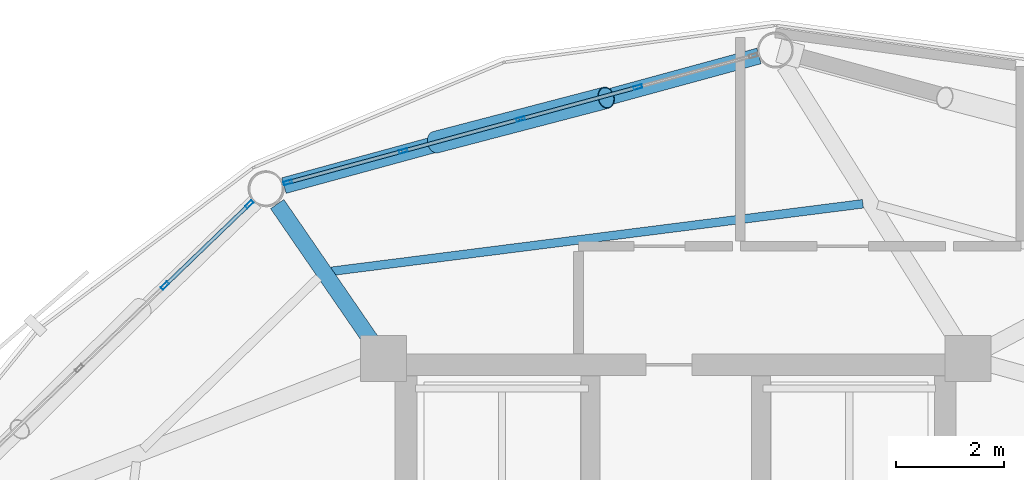
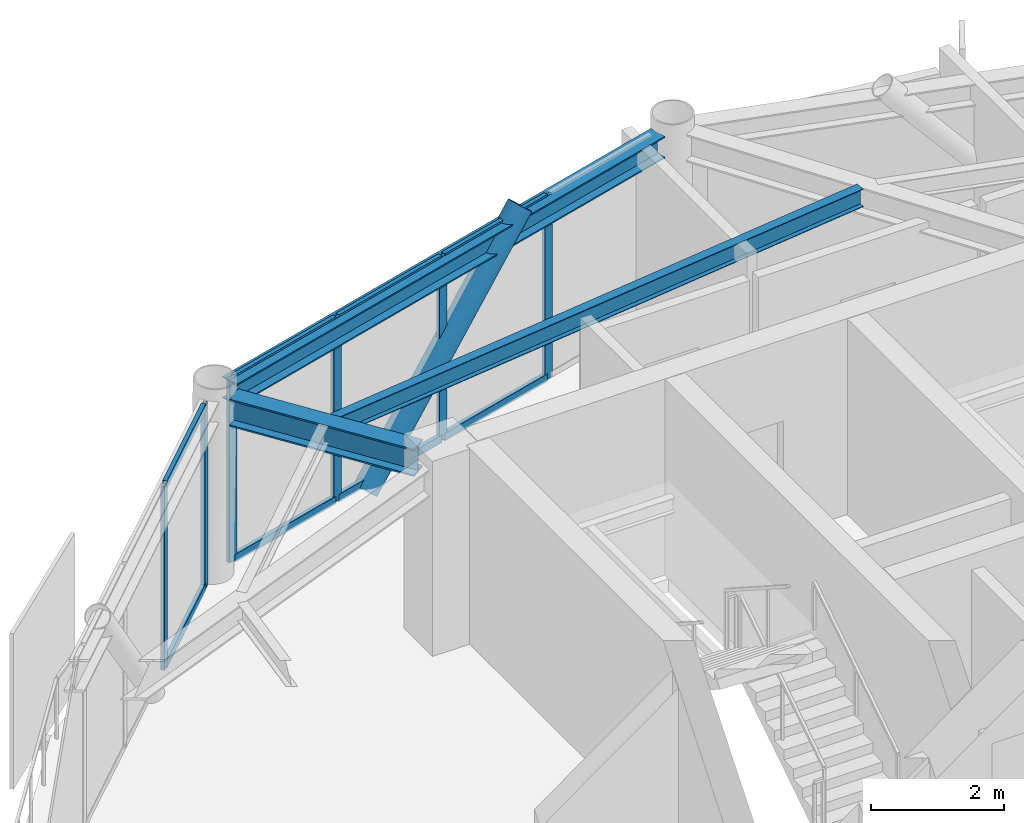
# One storey, part 17 of 26: 15 members, 3 beams, 2 elements without a shape of their own.
"""IFC4 building model written with IfcOpenShell, lengths in metres."""

from ifc_helpers import new_model, si_unit, direction, frame, origin, origin_2d, place, context, subcontext, project, spatial, hollow_rectangle, hollow_circle, i_section, extrude, material, layer, layer_set, material_profile, profile_set, type_object, element, aggregate, save


model = new_model("IFC4")

# Units and contexts
model_context = context("Model", 3, precision=1e-05, world=origin(), true_north=direction((0.0, 1.0)))
body_context = subcontext(model_context, "Body", "Model", "MODEL_VIEW")
ifc_project = project(units=[si_unit("LENGTHUNIT", "METRE"), si_unit("AREAUNIT", "SQUARE_METRE"), si_unit("VOLUMEUNIT", "CUBIC_METRE"), si_unit("PLANEANGLEUNIT", "RADIAN"), si_unit("MASSUNIT", "GRAM", prefix="KILO")], contexts=[model_context])

# Site, building, storey
site_placement = place(None, origin())
site = spatial("IfcSite", under=ifc_project, at=site_placement, CompositionType="ELEMENT")
building_placement = place(site_placement, origin())
building = spatial("IfcBuilding", under=site, at=building_placement, Name="Varnakorn Sky Granary", CompositionType="ELEMENT")
storey_placement = place(building_placement, frame((0.0, 0.0, 218.39990234375)))
storey = spatial("IfcBuildingStorey", under=building, at=storey_placement, Name="L55", CompositionType="ELEMENT", Elevation=218.39990234375)

# Beams
ifc_material_1 = material(Name="Steel S355JR", Category="steel")
ifc_material_profile_1 = material_profile(ifc_material_1, i_section(OverallWidth=0.300048828125, OverallDepth=0.5, WebThickness=0.014404296875, FlangeThickness=0.028076171875, at=origin_2d()), Name="HE 500 B")
ifc_profile_set_1 = profile_set([ifc_material_profile_1], Name="Steel S355JR")
beam_type_1 = type_object("IfcBeamType", Name="BM-RAD-Z4", PredefinedType="BEAM", material=ifc_profile_set_1)
beam_1_placement = place(storey_placement, frame((-2.649658203125, 12.95361328125, 3.110107421875), z_axis=(-0.566873331778, 0.823804968253, 0.0), x_axis=(-0.823804968253, -0.566873331778, 0.0)))
element("IfcBeam", 1, at=beam_1_placement, inside=storey, type_object=beam_type_1, Name="Radial Floor Girder RG05 L55", PredefinedType="BEAM", context=body_context, shape_type="SweptSolid", body=[
    extrude(i_section(OverallWidth=0.300048828125, OverallDepth=0.5, WebThickness=0.014404296875, FlangeThickness=0.028076171875, at=origin_2d()), origin(), (0.0, 0.0, 1.0), 3.0673828125),
])
ifc_material_profile_2 = material_profile(ifc_material_1, i_section(OverallWidth=0.159912109375, OverallDepth=0.330078125, WebThickness=0.007568359375, FlangeThickness=0.011474609375, at=origin_2d()), Name="IPE 330")
ifc_profile_set_2 = profile_set([ifc_material_profile_2], Name="Steel S355JR")
beam_type_2 = type_object("IfcBeamType", Name="BM-SEC-Z4", PredefinedType="BEAM", material=ifc_profile_set_2)
beam_2_placement = place(storey_placement, frame((6.47216796875, 15.485595703125, 3.195068359375), z_axis=(-0.992035094529, -0.125961784769, 0.0), x_axis=(0.125961784769, -0.992035094529, 0.0)))
element("IfcBeam", 2, at=beam_2_placement, inside=storey, type_object=beam_type_2, Name="Secondary Floor Chord Beam MSB04 L55", PredefinedType="BEAM", context=body_context, shape_type="SweptSolid", body=[
    extrude(i_section(OverallWidth=0.159912109375, OverallDepth=0.330078125, WebThickness=0.007568359375, FlangeThickness=0.011474609375, at=origin_2d()), origin(), (0.0, 0.0, 1.0), 9.931396484375),
])
ifc_material_profile_3 = material_profile(ifc_material_1, i_section(OverallWidth=0.300048828125, OverallDepth=0.39990234375, WebThickness=0.013427734375, FlangeThickness=0.02392578125, at=origin_2d()), Name="HE 400 B")
ifc_profile_set_3 = profile_set([ifc_material_profile_3], Name="Steel S355JR")
beam_type_3 = type_object("IfcBeamType", Name="BM-SPD-Z4", PredefinedType="SPANDREL", material=ifc_profile_set_3)
beam_3_placement = place(storey_placement, frame((4.546142578125, 18.22705078125, 3.16015625), z_axis=(-0.964721853725, -0.263271238357, 0.0), x_axis=(0.263271238357, -0.964721853725, 0.0)))
element("IfcBeam", 3, at=beam_3_placement, inside=storey, type_object=beam_type_3, Name="Perimeter Spandrel Ring Beam RB04 L55", PredefinedType="SPANDREL", context=body_context, shape_type="SweptSolid", body=[
    extrude(i_section(OverallWidth=0.300048828125, OverallDepth=0.39990234375, WebThickness=0.013427734375, FlangeThickness=0.02392578125, at=origin_2d()), origin(), (0.0, 0.0, 1.0), 9.13134765625),
])

# Curtain wall, members
ifc_material_2 = material(Name="Anodised Bronze Aluminium Alloy 6063-T6", Category="aluminium")
ifc_layer = layer(ifc_material_2, 0.169921875, Name="Anodised Bronze Aluminium Alloy 6063-T6")
ifc_layer_set = layer_set([ifc_layer], Name="Anodised Bronze Aluminium Alloy 6063-T6")
curtain_wall_type = type_object("IfcCurtainWallType", Name="CW-LAB-1", PredefinedType="USERDEFINED", material=ifc_layer_set)
curtain_wall_1_placement = place(storey_placement, origin())
curtain_wall_1 = element("IfcCurtainWall", 4, at=curtain_wall_1_placement, inside=storey, type_object=curtain_wall_type, Name="Unitised Curtain Wall CW5 CW-L55-B04", ObjectType="CURTAIN WALL", PredefinedType="USERDEFINED")
ifc_material_profile_4 = material_profile(ifc_material_2, hollow_rectangle(XDim=0.06494140625, YDim=0.159912109375, WallThickness=0.00341796875, at=origin_2d()), Name="ALU MULL 65x160")
ifc_profile_set_4 = profile_set([ifc_material_profile_4], Name="Anodised Bronze Aluminium Alloy 6063-T6")
member_type_1 = type_object("IfcMemberType", Name="CW-LAB-1-MULL", PredefinedType="MULLION", material=ifc_profile_set_4)
member_1_placement = place(storey_placement, frame((-4.193359375, 15.880615234375, 0.0), z_axis=(0.0, 0.0, 1.0), x_axis=(-0.262829253294, 0.964842362053, 0.0)))
member_1 = element("IfcMember", 5, at=member_1_placement, type_object=member_type_1, Name="CW5 mullion 1", PredefinedType="MULLION", context=body_context, shape_type="SweptSolid", body=[
    extrude(hollow_rectangle(XDim=0.06494140625, YDim=0.159912109375, WallThickness=0.00341796875, at=origin_2d()), origin(), (0.0, 0.0, 1.0), 3.360107421875),
])
member_2_placement = place(storey_placement, frame((-2.050048828125, 16.46435546875, 0.0), z_axis=(0.0, 0.0, 1.0), x_axis=(-0.262829253294, 0.964842362053, 0.0)))
member_2 = element("IfcMember", 6, at=member_2_placement, type_object=member_type_1, Name="CW5 mullion 2", PredefinedType="MULLION", context=body_context, shape_type="SweptSolid", body=[
    extrude(hollow_rectangle(XDim=0.06494140625, YDim=0.159912109375, WallThickness=0.00341796875, at=origin_2d()), origin(), (0.0, 0.0, 1.0), 3.360107421875),
])
member_3_placement = place(storey_placement, frame((0.12451171875, 17.056640625, 0.0), z_axis=(0.0, 0.0, 1.0), x_axis=(-0.262829253294, 0.964842362053, 0.0)))
member_3 = element("IfcMember", 7, at=member_3_placement, type_object=member_type_1, Name="CW5 mullion 3", PredefinedType="MULLION", context=body_context, shape_type="SweptSolid", body=[
    extrude(hollow_rectangle(XDim=0.06494140625, YDim=0.159912109375, WallThickness=0.00341796875, at=origin_2d()), origin(), (0.0, 0.0, 1.0), 3.360107421875),
])
member_4_placement = place(storey_placement, frame((2.299072265625, 17.649169921875, 0.0), z_axis=(0.0, 0.0, 1.0), x_axis=(-0.262829253294, 0.964842362053, 0.0)))
member_4 = element("IfcMember", 8, at=member_4_placement, type_object=member_type_1, Name="CW5 mullion 4", PredefinedType="MULLION", context=body_context, shape_type="SweptSolid", body=[
    extrude(hollow_rectangle(XDim=0.06494140625, YDim=0.159912109375, WallThickness=0.00341796875, at=origin_2d()), origin(), (0.0, 0.0, 1.0), 3.360107421875),
])

curtain_wall_2_placement = place(storey_placement, origin())
curtain_wall_2 = element("IfcCurtainWall", 9, at=curtain_wall_2_placement, inside=storey, type_object=curtain_wall_type, Name="Unitised Curtain Wall CW5 CW-L55-B05", ObjectType="CURTAIN WALL", PredefinedType="USERDEFINED")
member_5_placement = place(storey_placement, frame((-6.47119140625, 13.968017578125, 0.0), z_axis=(0.0, 0.0, 1.0), x_axis=(-0.693784930795, 0.72018224763, 0.0)))
member_5 = element("IfcMember", 10, at=member_5_placement, type_object=member_type_1, Name="CW5 mullion 4", PredefinedType="MULLION", context=body_context, shape_type="SweptSolid", body=[
    extrude(hollow_rectangle(XDim=0.06494140625, YDim=0.159912109375, WallThickness=0.00341796875, at=origin_2d()), origin(), (0.0, 0.0, 1.0), 3.360107421875),
])
member_6_placement = place(storey_placement, frame((-4.9052734375, 15.476318359375, 0.0), z_axis=(0.0, 0.0, 1.0), x_axis=(-0.693784930795, 0.72018224763, 0.0)))
member_6 = element("IfcMember", 11, at=member_6_placement, type_object=member_type_1, Name="CW5 mullion 5", PredefinedType="MULLION", context=body_context, shape_type="SweptSolid", body=[
    extrude(hollow_rectangle(XDim=0.06494140625, YDim=0.159912109375, WallThickness=0.00341796875, at=origin_2d()), origin(), (0.0, 0.0, 1.0), 3.360107421875),
])

# Member
ifc_material_profile_5 = material_profile(ifc_material_2, hollow_rectangle(XDim=0.070068359375, YDim=0.139892578125, WallThickness=0.00341796875, at=origin_2d()), Name="ALU TRAN 70x140")
ifc_profile_set_5 = profile_set([ifc_material_profile_5], Name="Anodised Bronze Aluminium Alloy 6063-T6")
member_type_2 = type_object("IfcMemberType", Name="CW-LAB-1-TRAN", PredefinedType="USERDEFINED", material=ifc_profile_set_5)
member_7_placement = place(storey_placement, frame((-4.161865234375, 15.88916015625, 0.03515625), z_axis=(0.964847389782, 0.262810795879, 0.0), x_axis=(-0.262810795879, 0.964847389782, 0.0)))
member_7 = element("IfcMember", 12, at=member_7_placement, type_object=member_type_2, Name="CW5 transom 1.1", ObjectType="TRANSOM", PredefinedType="USERDEFINED", context=body_context, shape_type="SweptSolid", body=[
    extrude(hollow_rectangle(XDim=0.070068359375, YDim=0.139892578125, WallThickness=0.00341796875, at=origin_2d()), origin(), (0.0, 0.0, 1.0), 2.156005859375),
])

member_8_placement = place(storey_placement, frame((-4.161865234375, 15.88916015625, 3.3251953125), z_axis=(0.964847389782, 0.262810795879, 0.0), x_axis=(-0.262810795879, 0.964847389782, 0.0)))
member_8 = element("IfcMember", 13, at=member_8_placement, type_object=member_type_2, Name="CW5 transom 1.2", ObjectType="TRANSOM", PredefinedType="USERDEFINED", context=body_context, shape_type="SweptSolid", body=[
    extrude(hollow_rectangle(XDim=0.070068359375, YDim=0.139892578125, WallThickness=0.00341796875, at=origin_2d()), origin(), (0.0, 0.0, 1.0), 2.156005859375),
])

member_9_placement = place(storey_placement, frame((-2.018798828125, 16.472900390625, 0.03515625), z_axis=(0.964858988789, 0.262768209177, 0.0), x_axis=(-0.262768209177, 0.964858988789, 0.0)))
member_9 = element("IfcMember", 14, at=member_9_placement, type_object=member_type_2, Name="CW5 transom 2.1", ObjectType="TRANSOM", PredefinedType="USERDEFINED", context=body_context, shape_type="SweptSolid", body=[
    extrude(hollow_rectangle(XDim=0.070068359375, YDim=0.139892578125, WallThickness=0.00341796875, at=origin_2d()), origin(), (0.0, 0.0, 1.0), 2.18896484375),
])

member_10_placement = place(storey_placement, frame((-2.018798828125, 16.472900390625, 3.3251953125), z_axis=(0.964858988789, 0.262768209177, 0.0), x_axis=(-0.262768209177, 0.964858988789, 0.0)))
member_10 = element("IfcMember", 15, at=member_10_placement, type_object=member_type_2, Name="CW5 transom 2.2", ObjectType="TRANSOM", PredefinedType="USERDEFINED", context=body_context, shape_type="SweptSolid", body=[
    extrude(hollow_rectangle(XDim=0.070068359375, YDim=0.139892578125, WallThickness=0.00341796875, at=origin_2d()), origin(), (0.0, 0.0, 1.0), 2.18896484375),
])

member_11_placement = place(storey_placement, frame((0.15576171875, 17.065185546875, 0.03515625), z_axis=(0.964830706974, 0.26287203518, 0.0), x_axis=(-0.26287203518, 0.964830706974, 0.0)))
member_11 = element("IfcMember", 16, at=member_11_placement, type_object=member_type_2, Name="CW5 transom 3.1", ObjectType="TRANSOM", PredefinedType="USERDEFINED", context=body_context, shape_type="SweptSolid", body=[
    extrude(hollow_rectangle(XDim=0.070068359375, YDim=0.139892578125, WallThickness=0.00341796875, at=origin_2d()), origin(), (0.0, 0.0, 1.0), 2.18896484375),
])

member_12_placement = place(storey_placement, frame((0.15576171875, 17.065185546875, 3.3251953125), z_axis=(0.964830706974, 0.26287203518, 0.0), x_axis=(-0.26287203518, 0.964830706974, 0.0)))
member_12 = element("IfcMember", 17, at=member_12_placement, type_object=member_type_2, Name="CW5 transom 3.2", ObjectType="TRANSOM", PredefinedType="USERDEFINED", context=body_context, shape_type="SweptSolid", body=[
    extrude(hollow_rectangle(XDim=0.070068359375, YDim=0.139892578125, WallThickness=0.00341796875, at=origin_2d()), origin(), (0.0, 0.0, 1.0), 2.18896484375),
])

aggregate(curtain_wall_1, [member_1, member_2, member_3, member_4, member_7, member_8, member_9, member_10, member_11, member_12])

member_13_placement = place(storey_placement, frame((-6.44775390625, 13.990478515625, 0.03515625), z_axis=(0.72017883047, 0.693788477955, 0.0), x_axis=(-0.693788477955, 0.72017883047, 0.0)))
member_13 = element("IfcMember", 18, at=member_13_placement, type_object=member_type_2, Name="CW5 transom 4.1", ObjectType="TRANSOM", PredefinedType="USERDEFINED", context=body_context, shape_type="SweptSolid", body=[
    extrude(hollow_rectangle(XDim=0.070068359375, YDim=0.139892578125, WallThickness=0.00341796875, at=origin_2d()), origin(), (0.0, 0.0, 1.0), 2.109375),
])

member_14_placement = place(storey_placement, frame((-6.44775390625, 13.990478515625, 3.3251953125), z_axis=(0.72017883047, 0.693788477955, 0.0), x_axis=(-0.693788477955, 0.72017883047, 0.0)))
member_14 = element("IfcMember", 19, at=member_14_placement, type_object=member_type_2, Name="CW5 transom 4.2", ObjectType="TRANSOM", PredefinedType="USERDEFINED", context=body_context, shape_type="SweptSolid", body=[
    extrude(hollow_rectangle(XDim=0.070068359375, YDim=0.139892578125, WallThickness=0.00341796875, at=origin_2d()), origin(), (0.0, 0.0, 1.0), 2.109375),
])

aggregate(curtain_wall_2, [member_5, member_6, member_13, member_14])

ifc_material_3 = material(Name="Steel S460M", Category="steel")
ifc_material_profile_6 = material_profile(ifc_material_3, hollow_circle(Radius=0.203125, WallThickness=0.01611328125, at=origin_2d()), Name="CHS 406.4x16")
ifc_profile_set_6 = profile_set([ifc_material_profile_6], Name="Steel S460M")
member_type_3 = type_object("IfcMemberType", Name="MB-DIAG-T4", PredefinedType="BRACE", material=ifc_profile_set_6)
member_15_placement = place(storey_placement, frame((-1.45068359375, 16.627685546875, -0.1298828125), z_axis=(0.648326857945, 0.169315940816, 0.74229670446), x_axis=(-0.252683453774, 0.967549002474, 0.0)))
element("IfcMember", 20, at=member_15_placement, inside=storey, type_object=member_type_3, Name="Perimeter CHS Diagrid Brace DG04 L55", PredefinedType="BRACE", context=body_context, shape_type="SweptSolid", body=[
    extrude(hollow_circle(Radius=0.203125, WallThickness=0.01611328125, at=origin_2d()), origin(), (0.0, 0.0, 1.0), 4.87646484375),
])

save(model, "model.ifc")
